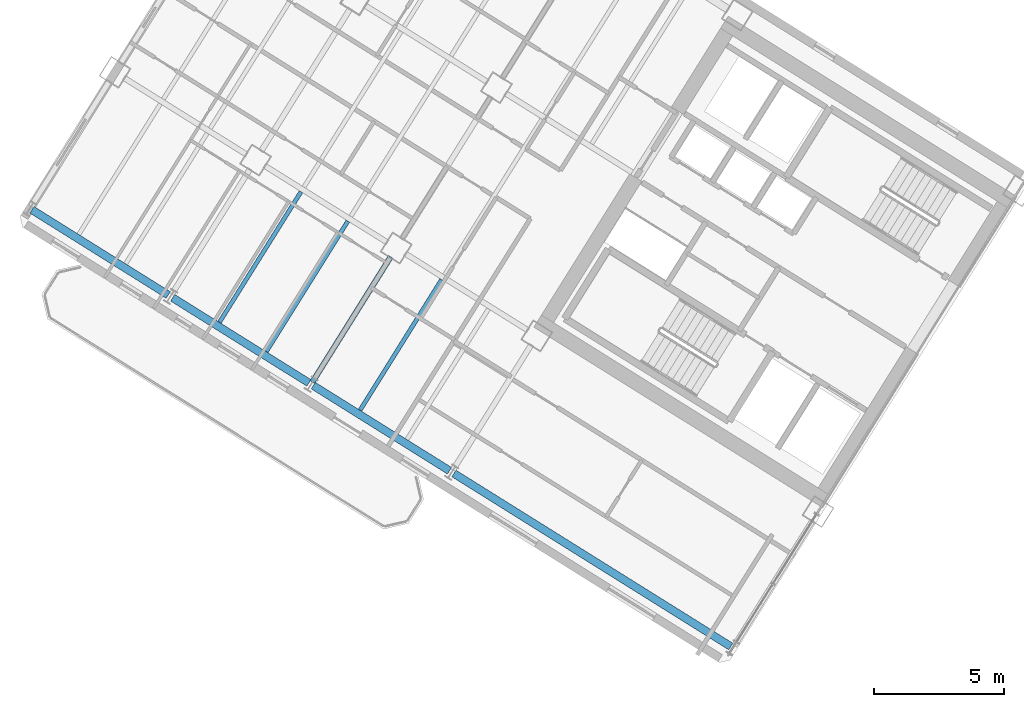
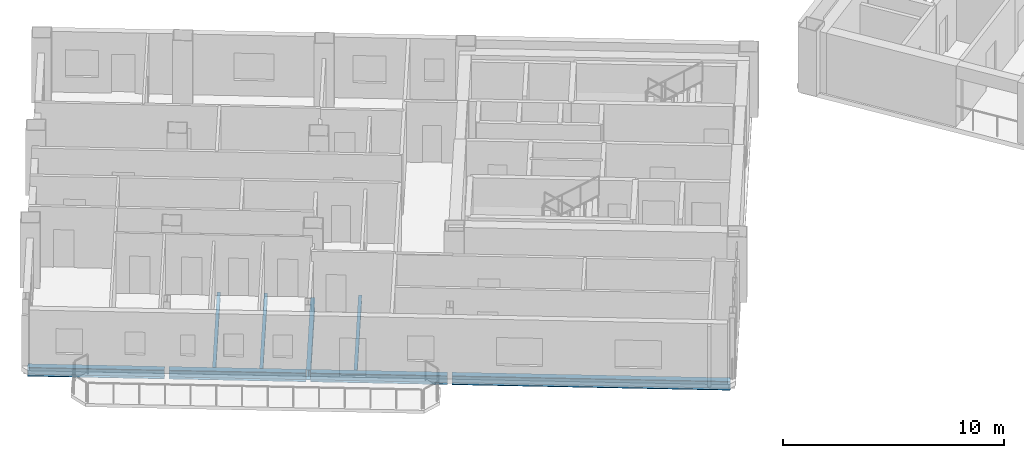
# One storey, part 5 of 18: 8 beams.
"""IFC4 building model written with IfcOpenShell, lengths in metres."""

from ifc_helpers import new_model, si_unit, direction, frame, origin, origin_2d, place, context, subcontext, project, spatial, i_section, extrude, source, transform, mapped, material, material_profile, profile_set, type_object, element, save


model = new_model("IFC4")

# Units and contexts
model_context = context("Model", 3, precision=1e-05, world=origin(), true_north=direction((0.0, 1.0)))
body_context = subcontext(model_context, "Body", "Model", "MODEL_VIEW")
ifc_project = project(units=[si_unit("LENGTHUNIT", "METRE"), si_unit("AREAUNIT", "SQUARE_METRE"), si_unit("VOLUMEUNIT", "CUBIC_METRE"), si_unit("PLANEANGLEUNIT", "RADIAN"), si_unit("MASSUNIT", "GRAM", prefix="KILO")], contexts=[model_context])

# Site, building, storey
site_placement = place(None, origin())
site = spatial("IfcSite", under=ifc_project, at=site_placement, CompositionType="ELEMENT")
building_placement = place(site_placement, origin())
building = spatial("IfcBuilding", under=site, at=building_placement, Name="Tlacorven Tower", CompositionType="ELEMENT")
storey_placement = place(building_placement, frame((0.0, 0.0, 140.699951171875)))
storey = spatial("IfcBuildingStorey", under=building, at=storey_placement, Name="L35", CompositionType="ELEMENT", Elevation=140.699951171875)

# Beams
ifc_material = material(Name="Steel S355J2", Category="steel")
ifc_material_profile_1 = material_profile(ifc_material, i_section(OverallWidth=0.300048828125, OverallDepth=0.489990234375, WebThickness=0.011962890625, FlangeThickness=0.02294921875, at=origin_2d()), Name="HEA 500")
ifc_profile_set_1 = profile_set([ifc_material_profile_1], Name="Steel S355J2")
beam_type_1 = type_object("IfcBeamType", Name="BM-SPN-500", PredefinedType="SPANDREL", material=ifc_profile_set_1)
shared_shape_1 = source(origin(), body_context, "Body", "SweptSolid", [
    extrude(i_section(OverallWidth=0.300048828125, OverallDepth=0.489990234375, WebThickness=0.011962890625, FlangeThickness=0.02294921875, at=origin_2d()), origin(), (0.0, 0.0, 1.0), 12.599853515625),
])
beam_1_placement = place(storey_placement, frame((29.67578125, 6.882080078125, -0.494873046875), z_axis=(-0.848045108756, 0.529924045043, 0.0), x_axis=(-0.529924045043, -0.848045108756, 0.0)))
element("IfcBeam", 1, at=beam_1_placement, inside=storey, type_object=beam_type_1, Name="L35 beam BM-L35-WL4-1", PredefinedType="SPANDREL", context=body_context, shape_type="MappedRepresentation", body=[
    mapped(shared_shape_1, transform((0.0, 0.0, 0.0), scale=1.0)),
])
shared_shape_2 = source(origin(), body_context, "Body", "SweptSolid", [
    extrude(i_section(OverallWidth=0.300048828125, OverallDepth=0.489990234375, WebThickness=0.011962890625, FlangeThickness=0.02294921875, at=origin_2d()), origin(), (0.0, 0.0, 1.0), 6.199951171875),
])
for number, where, z_axis, x_axis, name in (
    (2, (18.82080078125, 13.6650390625, -0.494873046875), (-0.848051394107, 0.529913986372, 0.0), (-0.529913986372, -0.848051394107, 0.0), "L35 beam BM-L35-WL4-3"),
    (3, (13.393310546875, 17.056396484375, -0.494873046875), (-0.848033697614, 0.529942306022, 0.0), (-0.529942306022, -0.848033697614, 0.0), "L35 beam BM-L35-WL4-4"),
    (4, (7.9658203125, 20.447998046875, -0.494873046875), (-0.848051394107, 0.529913986372, 0.0), (-0.529913986372, -0.848051394107, 0.0), "L35 beam BM-L35-WL4-5"),
):
    element("IfcBeam", number, at=place(storey_placement, frame(where, z_axis=z_axis, x_axis=x_axis)), inside=storey, type_object=beam_type_1, Name=name, PredefinedType="SPANDREL", context=body_context, shape_type="MappedRepresentation", body=[
        mapped(shared_shape_2, transform((0.0, 0.0, 0.0), scale=1.0)),
    ])
ifc_material_profile_2 = material_profile(ifc_material, i_section(OverallWidth=0.2099609375, OverallDepth=0.550048828125, WebThickness=0.010986328125, FlangeThickness=0.01708984375, at=origin_2d()), Name="IPE 550")
ifc_profile_set_2 = profile_set([ifc_material_profile_2], Name="Steel S355J2")
beam_type_2 = type_object("IfcBeamType", Name="BM-TWR-550", PredefinedType="BEAM", material=ifc_profile_set_2)
shared_shape_3 = source(origin(), body_context, "Body", "SweptSolid", [
    extrude(i_section(OverallWidth=0.2099609375, OverallDepth=0.550048828125, WebThickness=0.010986328125, FlangeThickness=0.01708984375, at=origin_2d()), origin(), (0.0, 0.0, 1.0), 5.7001953125),
])
beam_2_placement = place(storey_placement, frame((16.5517578125, 21.922119140625, -0.52490234375), z_axis=(-0.529937340199, -0.848036800771, 0.0), x_axis=(0.848036800771, -0.529937340199, 0.0)))
element("IfcBeam", 5, at=beam_2_placement, inside=storey, type_object=beam_type_2, Name="L35 beam BM-L35-WT4-3", PredefinedType="BEAM", context=body_context, shape_type="MappedRepresentation", body=[
    mapped(shared_shape_3, transform((0.0, 0.0, 0.0), scale=1.0)),
])
ifc_material_profile_3 = material_profile(ifc_material, i_section(OverallWidth=0.159912109375, OverallDepth=0.330078125, WebThickness=0.007568359375, FlangeThickness=0.011474609375, at=origin_2d()), Name="IPE 330")
ifc_profile_set_3 = profile_set([ifc_material_profile_3], Name="Steel S355J2")
beam_type_3 = type_object("IfcBeamType", Name="BM-JST-330", PredefinedType="JOIST", material=ifc_profile_set_3)
shared_shape_4 = source(origin(), body_context, "Body", "SweptSolid", [
    extrude(i_section(OverallWidth=0.159912109375, OverallDepth=0.330078125, WebThickness=0.007568359375, FlangeThickness=0.011474609375, at=origin_2d()), origin(), (0.0, 0.0, 1.0), 5.93505859375),
])
for number, where, z_axis, x_axis, name in (
    (6, (18.514404296875, 21.03759765625, -0.4150390625), (-0.529910194899, -0.848053763238, 0.0), (0.848053763238, -0.529910194899, 0.0), "L35 beam BM-L35-WJ3-3-2"),
    (7, (14.896240234375, 23.298583984375, -0.4150390625), (-0.529910194899, -0.848053763238, 0.0), (0.848053763238, -0.529910194899, 0.0), "L35 beam BM-L35-WJ4-3-1"),
):
    element("IfcBeam", number, at=place(storey_placement, frame(where, z_axis=z_axis, x_axis=x_axis)), inside=storey, type_object=beam_type_3, Name=name, PredefinedType="JOIST", context=body_context, shape_type="MappedRepresentation", body=[
        mapped(shared_shape_4, transform((0.0, 0.0, 0.0), scale=1.0)),
    ])
shared_shape_5 = source(origin(), body_context, "Body", "SweptSolid", [
    extrude(i_section(OverallWidth=0.159912109375, OverallDepth=0.330078125, WebThickness=0.007568359375, FlangeThickness=0.011474609375, at=origin_2d()), origin(), (0.0, 0.0, 1.0), 5.934814453125),
])
beam_3_placement = place(storey_placement, frame((13.0869140625, 24.428955078125, -0.4150390625), z_axis=(-0.52992868149, -0.848042211529, 0.0), x_axis=(0.848042211529, -0.52992868149, 0.0)))
element("IfcBeam", 8, at=beam_3_placement, inside=storey, type_object=beam_type_3, Name="L35 beam BM-L35-WJ4-3-2", PredefinedType="JOIST", context=body_context, shape_type="MappedRepresentation", body=[
    mapped(shared_shape_5, transform((0.0, 0.0, 0.0), scale=1.0)),
])

save(model, "model.ifc")
